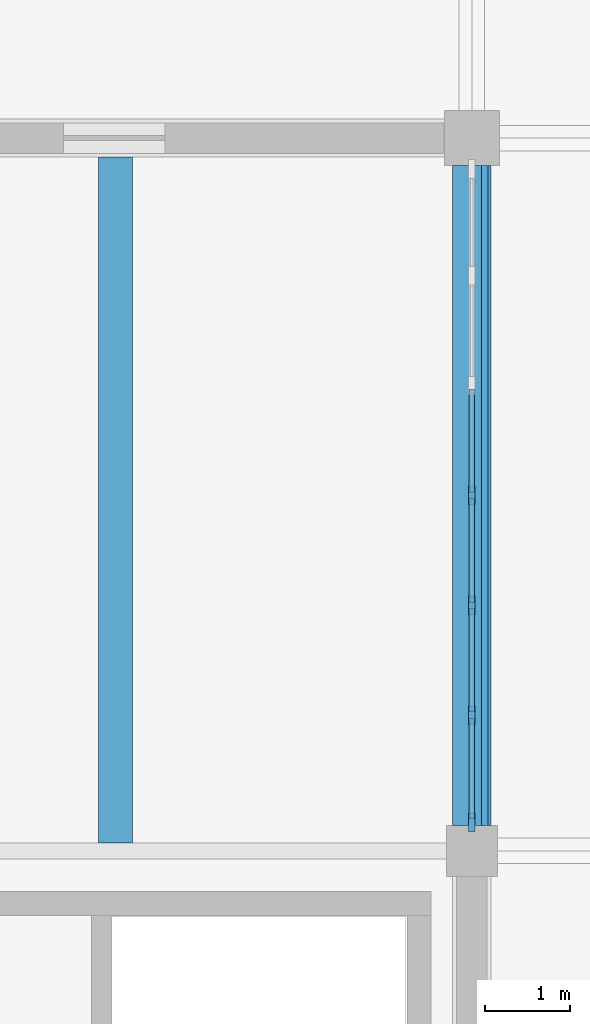
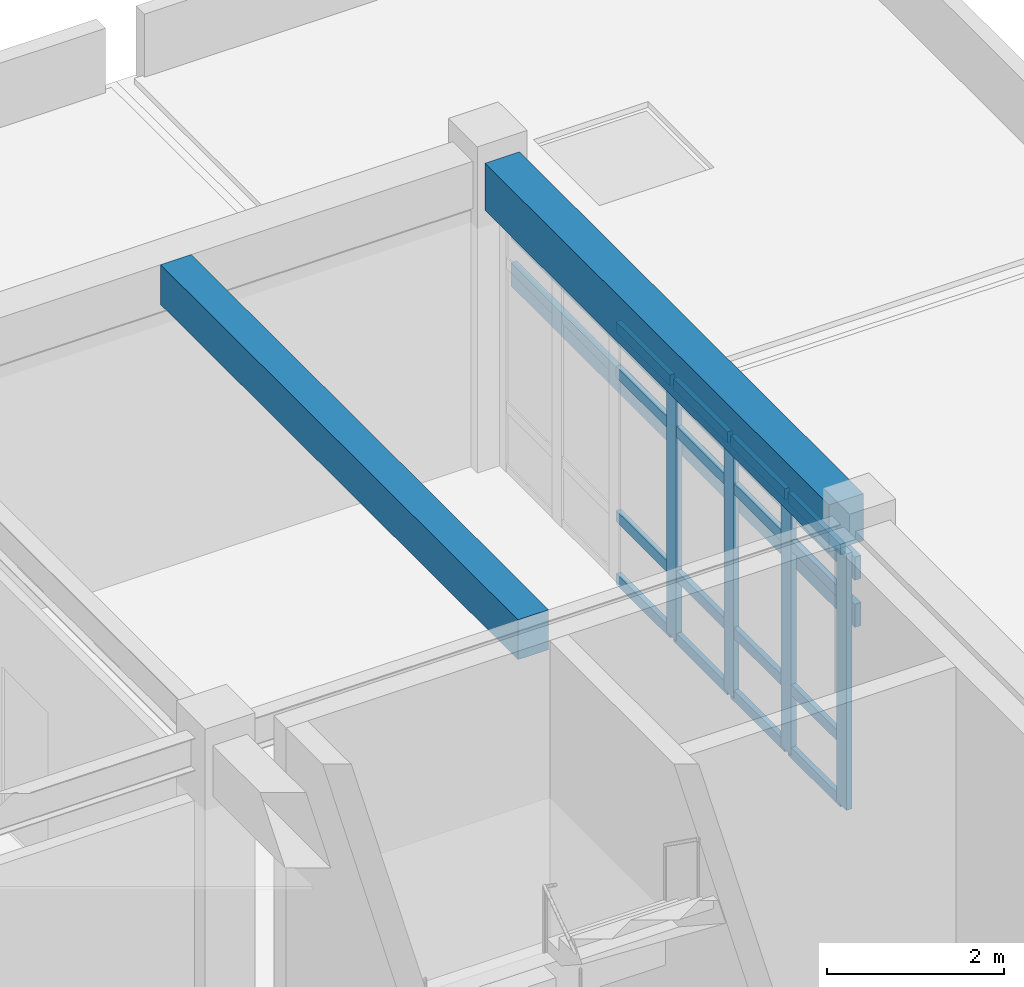
# One storey, part 35 of 78: 22 members, 2 beams, 1 element without a shape of its own.
"""IFC4 building model written with IfcOpenShell, lengths in metres."""

from ifc_helpers import new_model, si_unit, direction, frame, origin, origin_2d, place, context, subcontext, project, spatial, rectangle, extrude, material, layer, layer_set, material_profile, profile_set, type_object, element, aggregate, save


model = new_model("IFC4")

# Units and contexts
model_context = context("Model", 3, precision=1e-05, world=origin(), true_north=direction((0.0, 1.0)))
body_context = subcontext(model_context, "Body", "Model", "MODEL_VIEW")
ifc_project = project(units=[si_unit("LENGTHUNIT", "METRE"), si_unit("AREAUNIT", "SQUARE_METRE"), si_unit("VOLUMEUNIT", "CUBIC_METRE"), si_unit("PLANEANGLEUNIT", "RADIAN"), si_unit("MASSUNIT", "GRAM", prefix="KILO")], contexts=[model_context])

# Site, building, storey
site_placement = place(None, origin())
site = spatial("IfcSite", under=ifc_project, at=site_placement, CompositionType="ELEMENT")
building_placement = place(site_placement, origin())
building = spatial("IfcBuilding", under=site, at=building_placement, Name="Porcellanite Civic Hall", CompositionType="ELEMENT")
storey_placement = place(building_placement, frame((0.0, 0.0, 10.260009765625)))
storey = spatial("IfcBuildingStorey", under=building, at=storey_placement, Name="L02", CompositionType="ELEMENT", Elevation=10.260009765625)

# Beams
ifc_material_1 = material(Name="Concrete N50 (50 MPa)", Category="concrete")
ifc_material_profile_1 = material_profile(ifc_material_1, rectangle(XDim=0.39990234375, YDim=0.550048828125, at=origin_2d()), Name="RC-400x550")
ifc_profile_set_1 = profile_set([ifc_material_profile_1], Name="Concrete N50 (50 MPa)")
beam_type_1 = type_object("IfcBeamType", Name="BM-RC550", PredefinedType="JOIST", material=ifc_profile_set_1)
beam_1_placement = place(storey_placement, frame((163.800048828125, 58.89453125, 3.965087890625), z_axis=(0.0, 1.0, 0.0), x_axis=(-1.0, 0.0, 0.0)))
element("IfcBeam", 1, at=beam_1_placement, inside=storey, type_object=beam_type_1, Name="Secondary joist L02 20-8", PredefinedType="JOIST", context=body_context, shape_type="SweptSolid", body=[
    extrude(rectangle(XDim=0.39990234375, YDim=0.550048828125, at=origin_2d()), origin(), (0.0, 0.0, 1.0), 8.0810546875),
])
ifc_material_2 = material(Name="Concrete N50 (50 MPa)", Category="concrete")
ifc_material_profile_2 = material_profile(ifc_material_2, rectangle(XDim=0.449951171875, YDim=0.64990234375, at=origin_2d()), Name="RC-450x650")
ifc_profile_set_2 = profile_set([ifc_material_profile_2], Name="Concrete N50 (50 MPa)")
beam_type_2 = type_object("IfcBeamType", Name="BM-RC650", PredefinedType="SPANDREL", material=ifc_profile_set_2)
beam_2_placement = place(storey_placement, frame((168.0, 59.099609375, 3.9150390625), z_axis=(0.0, 1.0, 0.0), x_axis=(-1.0, 0.0, 0.0)))
element("IfcBeam", 2, at=beam_2_placement, inside=storey, type_object=beam_type_2, Name="Beam Y L02 21-8", PredefinedType="SPANDREL", context=body_context, shape_type="SweptSolid", body=[
    extrude(rectangle(XDim=0.449951171875, YDim=0.64990234375, at=origin_2d()), origin(), (0.0, 0.0, 1.0), 7.77587890625),
])

# Curtain wall, members
ifc_material_3 = material(Name="Anodised aluminium and solar laminated glass", Category="aluminium")
ifc_layer = layer(ifc_material_3, 0.179931640625)
ifc_layer_set = layer_set([ifc_layer], Name="Anodised aluminium and solar laminated glass")
curtain_wall_type = type_object("IfcCurtainWallType", Name="CW-SYS02", PredefinedType="NOTDEFINED", material=ifc_layer_set)
curtain_wall_placement = place(storey_placement, origin())
curtain_wall = element("IfcCurtainWall", 3, at=curtain_wall_placement, inside=storey, type_object=curtain_wall_type, Name="Curtain wall CW-182", PredefinedType="NOTDEFINED")
ifc_material_4 = material(Name="Anodised aluminium 6063-T6", Category="aluminium")
ifc_material_profile_3 = material_profile(ifc_material_4, rectangle(XDim=0.074951171875, YDim=0.219970703125, at=origin_2d()), Name="AL-75x220")
ifc_profile_set_3 = profile_set([ifc_material_profile_3], Name="Anodised aluminium 6063-T6")
member_type_1 = type_object("IfcMemberType", Name="CWM-03", PredefinedType="MULLION", material=ifc_profile_set_3)
member_1_placement = place(storey_placement, frame((168.0, 62.987548828125, 0.0), z_axis=(0.0, 0.0, 1.0), x_axis=(1.0, 0.0, 0.0)))
member_1 = element("IfcMember", 4, at=member_1_placement, type_object=member_type_1, Name="CW-182 mullion 4", PredefinedType="MULLION", context=body_context, shape_type="SweptSolid", body=[
    extrude(rectangle(XDim=0.074951171875, YDim=0.219970703125, at=origin_2d()), origin(), (0.0, 0.0, 1.0), 3.5400390625),
])
member_2_placement = place(storey_placement, frame((168.0, 61.69189453125, 0.0), z_axis=(0.0, 0.0, 1.0), x_axis=(1.0, 0.0, 0.0)))
member_2 = element("IfcMember", 5, at=member_2_placement, type_object=member_type_1, Name="CW-182 mullion 5", PredefinedType="MULLION", context=body_context, shape_type="SweptSolid", body=[
    extrude(rectangle(XDim=0.074951171875, YDim=0.219970703125, at=origin_2d()), origin(), (0.0, 0.0, 1.0), 3.5400390625),
])
member_3_placement = place(storey_placement, frame((168.0, 60.396484375, 0.0), z_axis=(0.0, 0.0, 1.0), x_axis=(1.0, 0.0, 0.0)))
member_3 = element("IfcMember", 6, at=member_3_placement, type_object=member_type_1, Name="CW-182 mullion 6", PredefinedType="MULLION", context=body_context, shape_type="SweptSolid", body=[
    extrude(rectangle(XDim=0.074951171875, YDim=0.219970703125, at=origin_2d()), origin(), (0.0, 0.0, 1.0), 3.5400390625),
])
member_4_placement = place(storey_placement, frame((168.0, 59.138427734375, 0.0), z_axis=(0.0, 0.0, 1.0), x_axis=(1.0, 0.0, 0.0)))
member_4 = element("IfcMember", 7, at=member_4_placement, type_object=member_type_1, Name="CW-182 mullion 7", PredefinedType="MULLION", context=body_context, shape_type="SweptSolid", body=[
    extrude(rectangle(XDim=0.074951171875, YDim=0.219970703125, at=origin_2d()), origin(), (0.0, 0.0, 1.0), 3.5400390625),
])
ifc_material_5 = material(Name="Anodised aluminium 6063-T6", Category="aluminium")
ifc_material_profile_4 = material_profile(ifc_material_5, rectangle(XDim=0.06494140625, YDim=0.14990234375, at=origin_2d()), Name="AL-65x150")
ifc_profile_set_4 = profile_set([ifc_material_profile_4], Name="Anodised aluminium 6063-T6")
member_type_2 = type_object("IfcMemberType", Name="CWT-02", PredefinedType="USERDEFINED", material=ifc_profile_set_4)
member_5_placement = place(storey_placement, frame((168.0, 64.24560546875, 0.032470703125), z_axis=(0.0, -1.0, 0.0), x_axis=(1.0, 0.0, 0.0)))
member_5 = element("IfcMember", 8, at=member_5_placement, type_object=member_type_2, Name="CW-182 transom 3.1", ObjectType="TRANSOM", PredefinedType="USERDEFINED", context=body_context, shape_type="SweptSolid", body=[
    extrude(rectangle(XDim=0.06494140625, YDim=0.14990234375, at=origin_2d()), origin(), (0.0, 0.0, 1.0), 1.220703125),
])
member_6_placement = place(storey_placement, frame((168.0, 64.24560546875, 0.89990234375), z_axis=(0.0, -1.0, 0.0), x_axis=(1.0, 0.0, 0.0)))
member_6 = element("IfcMember", 9, at=member_6_placement, type_object=member_type_2, Name="CW-182 transom 3.2", ObjectType="TRANSOM", PredefinedType="USERDEFINED", context=body_context, shape_type="SweptSolid", body=[
    extrude(rectangle(XDim=0.06494140625, YDim=0.14990234375, at=origin_2d()), origin(), (0.0, 0.0, 1.0), 1.220703125),
])
member_7_placement = place(storey_placement, frame((168.0, 64.24560546875, 2.889892578125), z_axis=(0.0, -1.0, 0.0), x_axis=(1.0, 0.0, 0.0)))
member_7 = element("IfcMember", 10, at=member_7_placement, type_object=member_type_2, Name="CW-182 transom 3.3", ObjectType="TRANSOM", PredefinedType="USERDEFINED", context=body_context, shape_type="SweptSolid", body=[
    extrude(rectangle(XDim=0.06494140625, YDim=0.14990234375, at=origin_2d()), origin(), (0.0, 0.0, 1.0), 1.220703125),
])
member_8_placement = place(storey_placement, frame((168.0, 64.24560546875, 3.507568359375), z_axis=(0.0, -1.0, 0.0), x_axis=(1.0, 0.0, 0.0)))
member_8 = element("IfcMember", 11, at=member_8_placement, type_object=member_type_2, Name="CW-182 transom 3.4", ObjectType="TRANSOM", PredefinedType="USERDEFINED", context=body_context, shape_type="SweptSolid", body=[
    extrude(rectangle(XDim=0.06494140625, YDim=0.14990234375, at=origin_2d()), origin(), (0.0, 0.0, 1.0), 1.220703125),
])
member_9_placement = place(storey_placement, frame((168.0, 62.949951171875, 0.032470703125), z_axis=(0.0, -1.0, 0.0), x_axis=(1.0, 0.0, 0.0)))
member_9 = element("IfcMember", 12, at=member_9_placement, type_object=member_type_2, Name="CW-182 transom 4.1", ObjectType="TRANSOM", PredefinedType="USERDEFINED", context=body_context, shape_type="SweptSolid", body=[
    extrude(rectangle(XDim=0.06494140625, YDim=0.14990234375, at=origin_2d()), origin(), (0.0, 0.0, 1.0), 1.220458984375),
])
member_10_placement = place(storey_placement, frame((168.0, 62.949951171875, 0.89990234375), z_axis=(0.0, -1.0, 0.0), x_axis=(1.0, 0.0, 0.0)))
member_10 = element("IfcMember", 13, at=member_10_placement, type_object=member_type_2, Name="CW-182 transom 4.2", ObjectType="TRANSOM", PredefinedType="USERDEFINED", context=body_context, shape_type="SweptSolid", body=[
    extrude(rectangle(XDim=0.06494140625, YDim=0.14990234375, at=origin_2d()), origin(), (0.0, 0.0, 1.0), 1.220458984375),
])
member_11_placement = place(storey_placement, frame((168.0, 62.949951171875, 2.889892578125), z_axis=(0.0, -1.0, 0.0), x_axis=(1.0, 0.0, 0.0)))
member_11 = element("IfcMember", 14, at=member_11_placement, type_object=member_type_2, Name="CW-182 transom 4.3", ObjectType="TRANSOM", PredefinedType="USERDEFINED", context=body_context, shape_type="SweptSolid", body=[
    extrude(rectangle(XDim=0.06494140625, YDim=0.14990234375, at=origin_2d()), origin(), (0.0, 0.0, 1.0), 1.220458984375),
])
member_12_placement = place(storey_placement, frame((168.0, 62.949951171875, 3.507568359375), z_axis=(0.0, -1.0, 0.0), x_axis=(1.0, 0.0, 0.0)))
member_12 = element("IfcMember", 15, at=member_12_placement, type_object=member_type_2, Name="CW-182 transom 4.4", ObjectType="TRANSOM", PredefinedType="USERDEFINED", context=body_context, shape_type="SweptSolid", body=[
    extrude(rectangle(XDim=0.06494140625, YDim=0.14990234375, at=origin_2d()), origin(), (0.0, 0.0, 1.0), 1.220458984375),
])
member_13_placement = place(storey_placement, frame((168.0, 61.654541015625, 0.032470703125), z_axis=(0.0, -1.0, 0.0), x_axis=(1.0, 0.0, 0.0)))
member_13 = element("IfcMember", 16, at=member_13_placement, type_object=member_type_2, Name="CW-182 transom 5.1", ObjectType="TRANSOM", PredefinedType="USERDEFINED", context=body_context, shape_type="SweptSolid", body=[
    extrude(rectangle(XDim=0.06494140625, YDim=0.14990234375, at=origin_2d()), origin(), (0.0, 0.0, 1.0), 1.220458984375),
])
member_14_placement = place(storey_placement, frame((168.0, 61.654541015625, 0.89990234375), z_axis=(0.0, -1.0, 0.0), x_axis=(1.0, 0.0, 0.0)))
member_14 = element("IfcMember", 17, at=member_14_placement, type_object=member_type_2, Name="CW-182 transom 5.2", ObjectType="TRANSOM", PredefinedType="USERDEFINED", context=body_context, shape_type="SweptSolid", body=[
    extrude(rectangle(XDim=0.06494140625, YDim=0.14990234375, at=origin_2d()), origin(), (0.0, 0.0, 1.0), 1.220458984375),
])
member_15_placement = place(storey_placement, frame((168.0, 61.654541015625, 2.889892578125), z_axis=(0.0, -1.0, 0.0), x_axis=(1.0, 0.0, 0.0)))
member_15 = element("IfcMember", 18, at=member_15_placement, type_object=member_type_2, Name="CW-182 transom 5.3", ObjectType="TRANSOM", PredefinedType="USERDEFINED", context=body_context, shape_type="SweptSolid", body=[
    extrude(rectangle(XDim=0.06494140625, YDim=0.14990234375, at=origin_2d()), origin(), (0.0, 0.0, 1.0), 1.220458984375),
])
member_16_placement = place(storey_placement, frame((168.0, 61.654541015625, 3.507568359375), z_axis=(0.0, -1.0, 0.0), x_axis=(1.0, 0.0, 0.0)))
member_16 = element("IfcMember", 19, at=member_16_placement, type_object=member_type_2, Name="CW-182 transom 5.4", ObjectType="TRANSOM", PredefinedType="USERDEFINED", context=body_context, shape_type="SweptSolid", body=[
    extrude(rectangle(XDim=0.06494140625, YDim=0.14990234375, at=origin_2d()), origin(), (0.0, 0.0, 1.0), 1.220458984375),
])
member_17_placement = place(storey_placement, frame((168.0, 60.35888671875, 0.032470703125), z_axis=(0.0, -1.0, 0.0), x_axis=(1.0, 0.0, 0.0)))
member_17 = element("IfcMember", 20, at=member_17_placement, type_object=member_type_2, Name="CW-182 transom 6.1", ObjectType="TRANSOM", PredefinedType="USERDEFINED", context=body_context, shape_type="SweptSolid", body=[
    extrude(rectangle(XDim=0.06494140625, YDim=0.14990234375, at=origin_2d()), origin(), (0.0, 0.0, 1.0), 1.182861328125),
])
member_18_placement = place(storey_placement, frame((168.0, 60.35888671875, 0.89990234375), z_axis=(0.0, -1.0, 0.0), x_axis=(1.0, 0.0, 0.0)))
member_18 = element("IfcMember", 21, at=member_18_placement, type_object=member_type_2, Name="CW-182 transom 6.2", ObjectType="TRANSOM", PredefinedType="USERDEFINED", context=body_context, shape_type="SweptSolid", body=[
    extrude(rectangle(XDim=0.06494140625, YDim=0.14990234375, at=origin_2d()), origin(), (0.0, 0.0, 1.0), 1.182861328125),
])
member_19_placement = place(storey_placement, frame((168.0, 60.35888671875, 2.889892578125), z_axis=(0.0, -1.0, 0.0), x_axis=(1.0, 0.0, 0.0)))
member_19 = element("IfcMember", 22, at=member_19_placement, type_object=member_type_2, Name="CW-182 transom 6.3", ObjectType="TRANSOM", PredefinedType="USERDEFINED", context=body_context, shape_type="SweptSolid", body=[
    extrude(rectangle(XDim=0.06494140625, YDim=0.14990234375, at=origin_2d()), origin(), (0.0, 0.0, 1.0), 1.182861328125),
])
member_20_placement = place(storey_placement, frame((168.0, 60.35888671875, 3.507568359375), z_axis=(0.0, -1.0, 0.0), x_axis=(1.0, 0.0, 0.0)))
member_20 = element("IfcMember", 23, at=member_20_placement, type_object=member_type_2, Name="CW-182 transom 6.4", ObjectType="TRANSOM", PredefinedType="USERDEFINED", context=body_context, shape_type="SweptSolid", body=[
    extrude(rectangle(XDim=0.06494140625, YDim=0.14990234375, at=origin_2d()), origin(), (0.0, 0.0, 1.0), 1.182861328125),
])
aggregate(curtain_wall, [member_1, member_2, member_3, member_4, member_5, member_6, member_7, member_8, member_9, member_10, member_11, member_12, member_13, member_14, member_15, member_16, member_17, member_18, member_19, member_20])

# Members
ifc_material_6 = material(Name="Fluoropolymer bauxite-red aluminium 6063-T6", Category="aluminium")
ifc_material_profile_5 = material_profile(ifc_material_6, rectangle(XDim=0.080078125, YDim=0.320068359375, at=origin_2d()), Name="AL-80x320")
ifc_profile_set_5 = profile_set([ifc_material_profile_5], Name="Fluoropolymer bauxite-red aluminium 6063-T6")
member_type_3 = type_object("IfcMemberType", Name="LV-BLD03", PredefinedType="USERDEFINED", material=ifc_profile_set_5)
for number, where, z_axis, x_axis, name in (
    (24, (168.152099609375, 66.87548828125, 3.239990234375), (0.0, -1.0, 0.0), (1.0, 0.0, 0.0), "Cyclone sunshade louvre L02 E 19-7 1"),
    (25, (168.152099609375, 66.87548828125, 2.590087890625), (0.0, -1.0, 0.0), (1.0, 0.0, 0.0), "Cyclone sunshade louvre L02 E 19-7 2"),
):
    element("IfcMember", number, at=place(storey_placement, frame(where, z_axis=z_axis, x_axis=x_axis)), inside=storey, type_object=member_type_3, Name=name, ObjectType="LOUVRE BLADE", PredefinedType="USERDEFINED", context=body_context, shape_type="SweptSolid", body=[
        extrude(rectangle(XDim=0.080078125, YDim=0.320068359375, at=origin_2d()), origin(), (0.0, 0.0, 1.0), 7.77587890625),
    ])

save(model, "model.ifc")
